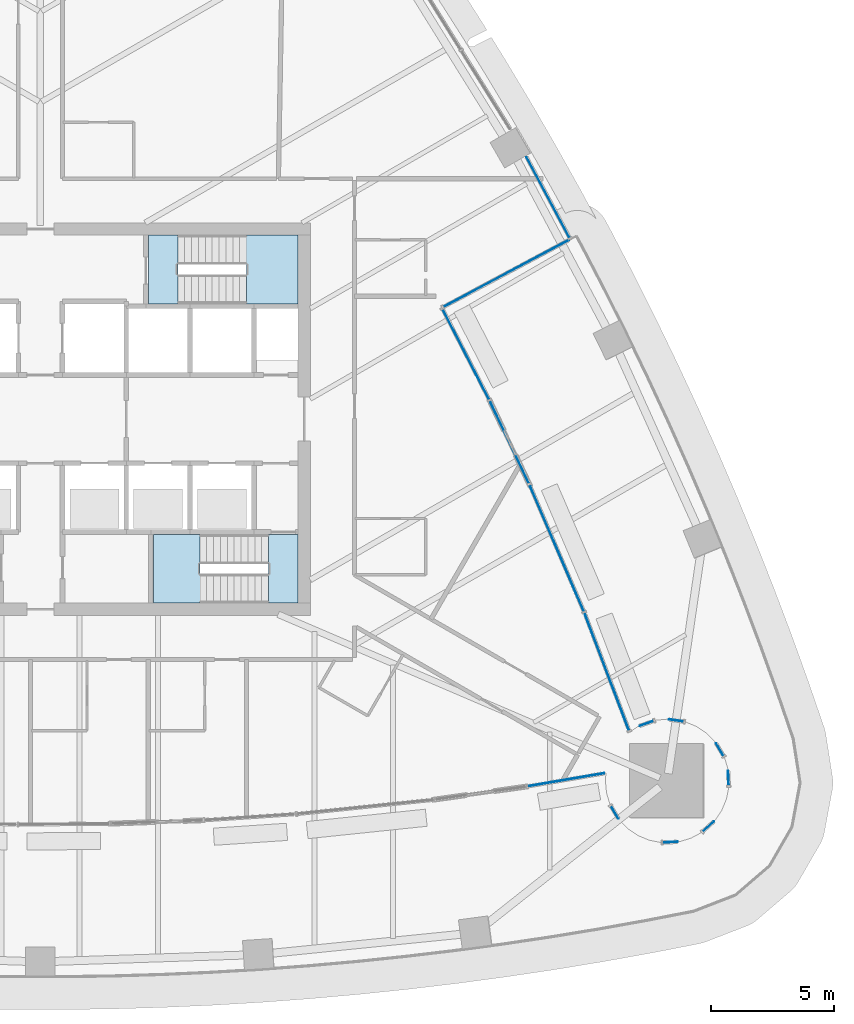
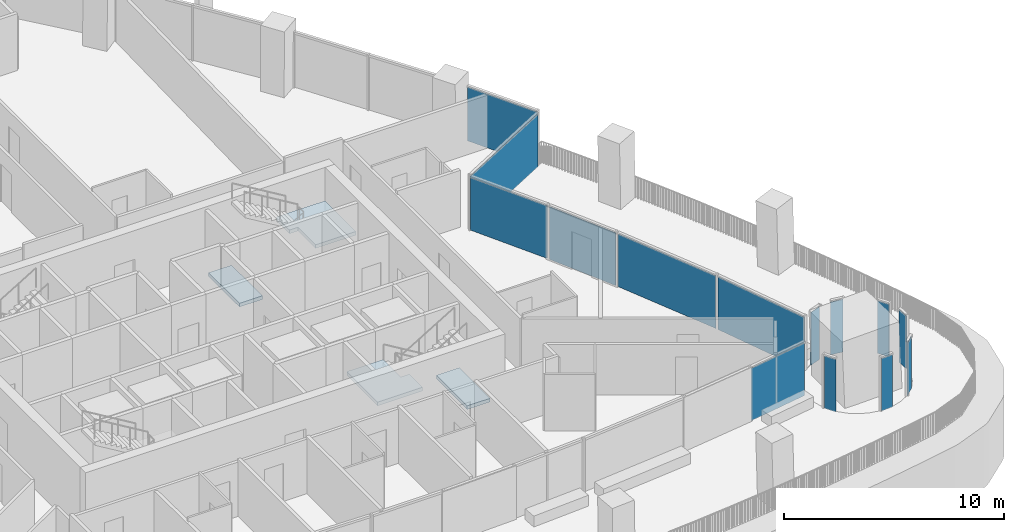
# One storey, part 9 of 22: 14 plates, 4 slabs, 16 elements without a shape of their own.
"""IFC4 building model written with IfcOpenShell, lengths in metres."""

from ifc_helpers import new_model, si_unit, direction, frame, origin, origin_2d, place, context, subcontext, project, spatial, polyline, rectangle, outline, extrude, material, layer, layer_set, type_object, element, aggregate, save


model = new_model("IFC4")

# Units and contexts
model_context = context("Model", 3, precision=1e-05, world=origin(), true_north=direction((0.0, 1.0)))
body_context = subcontext(model_context, "Body", "Model", "MODEL_VIEW")
ifc_project = project(units=[si_unit("LENGTHUNIT", "METRE"), si_unit("AREAUNIT", "SQUARE_METRE"), si_unit("VOLUMEUNIT", "CUBIC_METRE"), si_unit("PLANEANGLEUNIT", "RADIAN"), si_unit("MASSUNIT", "GRAM", prefix="KILO")], contexts=[model_context])

# Site, building, storey
site_placement = place(None, origin())
site = spatial("IfcSite", under=ifc_project, at=site_placement, CompositionType="ELEMENT")
building_placement = place(site_placement, origin())
building = spatial("IfcBuilding", under=site, at=building_placement, Name="Sierra Prisma Convention Tower", CompositionType="ELEMENT")
storey_placement = place(building_placement, frame((0.0, 0.0, 103.5)))
storey = spatial("IfcBuildingStorey", under=building, at=storey_placement, Name="L22", CompositionType="ELEMENT", Elevation=103.5)

# Curtain wall, plate
ifc_material_1 = material(Name="Aluminium and glass curtain wall", Category="aluminium")
ifc_layer_1 = layer(ifc_material_1, 0.179931640625)
ifc_layer_set_1 = layer_set([ifc_layer_1], Name="CW-1 Plain shaft curtain wall")
curtain_wall_type_1 = type_object("IfcCurtainWallType", Name="CW-1 Plain shaft curtain wall", PredefinedType="NOTDEFINED", material=ifc_layer_set_1)
curtain_wall_1_placement = place(storey_placement, origin())
curtain_wall_1 = element("IfcCurtainWall", 1, at=curtain_wall_1_placement, inside=storey, type_object=curtain_wall_type_1, Name="CW-1 NE3b L22", PredefinedType="NOTDEFINED")
ifc_material_2 = material(Name="Tinted glass bronze-grey IGU", Category="glass")
ifc_layer_2 = layer(ifc_material_2, 0.028076171875)
ifc_layer_set_2 = layer_set([ifc_layer_2], Name="CW-1 glass panel")
plate_type_1 = type_object("IfcPlateType", Name="CW-1 glass panel", PredefinedType="CURTAIN_PANEL", material=ifc_layer_set_2)
plate_1_placement = place(storey_placement, frame((20.691162109375, 9.030517578125, 0.0), z_axis=(0.0, 0.0, 1.0), x_axis=(-0.470872125852, 0.882201474209, 0.0)))
plate_1 = element("IfcPlate", 2, at=plate_1_placement, type_object=plate_type_1, Name="CW-1 panel NE3b.1", PredefinedType="CURTAIN_PANEL", context=body_context, shape_type="SweptSolid", body=[
    extrude(rectangle(XDim=3.712646484375, YDim=0.028076171875, at=origin_2d()), origin(), (0.0, 0.0, 1.0), 2.97998046875),
])
aggregate(curtain_wall_1, [plate_1])

ifc_material_3 = material(Name="Aluminium and glass curtain wall", Category="aluminium")
ifc_layer_3 = layer(ifc_material_3, 0.179931640625)
ifc_layer_set_3 = layer_set([ifc_layer_3], Name="CW-6 Terrace recess curtain wall")
curtain_wall_type_2 = type_object("IfcCurtainWallType", Name="CW-6 Terrace recess curtain wall", PredefinedType="NOTDEFINED", material=ifc_layer_set_3)
curtain_wall_2_placement = place(storey_placement, origin())
curtain_wall_2 = element("IfcCurtainWall", 3, at=curtain_wall_2_placement, inside=storey, type_object=curtain_wall_type_2, Name="CW-6 R7 L22", PredefinedType="NOTDEFINED")
ifc_material_4 = material(Name="Tinted glass bronze-grey IGU", Category="glass")
ifc_layer_4 = layer(ifc_material_4, 0.028076171875)
ifc_layer_set_4 = layer_set([ifc_layer_4], Name="CW-6 glass panel")
plate_type_2 = type_object("IfcPlateType", Name="CW-6 glass panel", PredefinedType="CURTAIN_PANEL", material=ifc_layer_set_4)
plate_2_placement = place(storey_placement, frame((21.42431640625, -14.6982421875, 0.0), z_axis=(0.0, 0.0, 1.0), x_axis=(0.985719395001, 0.168396182613, 0.0)))
plate_2 = element("IfcPlate", 4, at=plate_2_placement, type_object=plate_type_2, Name="CW-6 panel R7.1", PredefinedType="CURTAIN_PANEL", context=body_context, shape_type="SweptSolid", body=[
    extrude(rectangle(XDim=3.1572265625, YDim=0.028076171875, at=origin_2d()), origin(), (0.0, 0.0, 1.0), 2.919921875),
])
aggregate(curtain_wall_2, [plate_2])

curtain_wall_3_placement = place(storey_placement, origin())
curtain_wall_3 = element("IfcCurtainWall", 5, at=curtain_wall_3_placement, inside=storey, type_object=curtain_wall_type_2, Name="CW-6 R11 L22", PredefinedType="NOTDEFINED")
plate_3_placement = place(storey_placement, frame((23.4072265625, -16.031494140625, 0.0), z_axis=(0.0, 0.0, 1.0), x_axis=(0.514102744193, -0.85772861, 0.0)))
plate_3 = element("IfcPlate", 6, at=plate_3_placement, type_object=plate_type_2, Name="CW-6 panel R11.1", PredefinedType="CURTAIN_PANEL", context=body_context, shape_type="SweptSolid", body=[
    extrude(rectangle(XDim=0.599853515625, YDim=0.028076171875, at=origin_2d()), origin(), (0.0, 0.0, 1.0), 2.919921875),
])
aggregate(curtain_wall_3, [plate_3])

curtain_wall_4_placement = place(storey_placement, origin())
curtain_wall_4 = element("IfcCurtainWall", 7, at=curtain_wall_4_placement, inside=storey, type_object=curtain_wall_type_2, Name="CW-6 R16 L22", PredefinedType="NOTDEFINED")
plate_4_placement = place(storey_placement, frame((25.6689453125, -17.240234375, 0.0), z_axis=(0.0, 0.0, 1.0), x_axis=(0.998795456205, 0.049067674327, 0.0)))
plate_4 = element("IfcPlate", 8, at=plate_4_placement, type_object=plate_type_2, Name="CW-6 panel R16.1", PredefinedType="CURTAIN_PANEL", context=body_context, shape_type="SweptSolid", body=[
    extrude(rectangle(XDim=0.599853515625, YDim=0.028076171875, at=origin_2d()), origin(), (0.0, 0.0, 1.0), 2.919921875),
])
aggregate(curtain_wall_4, [plate_4])

curtain_wall_5_placement = place(storey_placement, origin())
curtain_wall_5 = element("IfcCurtainWall", 9, at=curtain_wall_5_placement, inside=storey, type_object=curtain_wall_type_2, Name="CW-6 R19 L22", PredefinedType="NOTDEFINED")
plate_5_placement = place(storey_placement, frame((27.221435546875, -16.59716796875, 0.0), z_axis=(0.0, 0.0, 1.0), x_axis=(0.740951125355, 0.671558954847, 0.0)))
plate_5 = element("IfcPlate", 10, at=plate_5_placement, type_object=plate_type_2, Name="CW-6 panel R19.1", PredefinedType="CURTAIN_PANEL", context=body_context, shape_type="SweptSolid", body=[
    extrude(rectangle(XDim=0.599853515625, YDim=0.028076171875, at=origin_2d()), origin(), (0.0, 0.0, 1.0), 2.919921875),
])
aggregate(curtain_wall_5, [plate_5])

curtain_wall_6_placement = place(storey_placement, origin())
curtain_wall_6 = element("IfcCurtainWall", 11, at=curtain_wall_6_placement, inside=storey, type_object=curtain_wall_type_2, Name="CW-6 R23 L22", PredefinedType="NOTDEFINED")
plate_6_placement = place(storey_placement, frame((28.03759765625, -14.626953125, 0.0), z_axis=(0.0, 0.0, 1.0), x_axis=(-0.049067674327, 0.998795456205, 0.0)))
plate_6 = element("IfcPlate", 12, at=plate_6_placement, type_object=plate_type_2, Name="CW-6 panel R23.1", PredefinedType="CURTAIN_PANEL", context=body_context, shape_type="SweptSolid", body=[
    extrude(rectangle(XDim=0.599853515625, YDim=0.028076171875, at=origin_2d()), origin(), (0.0, 0.0, 1.0), 2.919921875),
])
aggregate(curtain_wall_6, [plate_6])

curtain_wall_7_placement = place(storey_placement, origin())
curtain_wall_7 = element("IfcCurtainWall", 13, at=curtain_wall_7_placement, inside=storey, type_object=curtain_wall_type_2, Name="CW-6 R25 L22", PredefinedType="NOTDEFINED")
plate_7_placement = place(storey_placement, frame((27.685791015625, -13.467041015625, 0.0), z_axis=(0.0, 0.0, 1.0), x_axis=(-0.514102744193, 0.85772861, 0.0)))
plate_7 = element("IfcPlate", 14, at=plate_7_placement, type_object=plate_type_2, Name="CW-6 panel R25.1", PredefinedType="CURTAIN_PANEL", context=body_context, shape_type="SweptSolid", body=[
    extrude(rectangle(XDim=0.599853515625, YDim=0.028076171875, at=origin_2d()), origin(), (0.0, 0.0, 1.0), 2.919921875),
])
aggregate(curtain_wall_7, [plate_7])

curtain_wall_8_placement = place(storey_placement, origin())
curtain_wall_8 = element("IfcCurtainWall", 15, at=curtain_wall_8_placement, inside=storey, type_object=curtain_wall_type_2, Name="CW-6 R29 L22", PredefinedType="NOTDEFINED")
plate_8_placement = place(storey_placement, frame((25.912353515625, -12.2822265625, 0.0), z_axis=(0.0, 0.0, 1.0), x_axis=(-0.989176509965, 0.146730474455, 0.0)))
plate_8 = element("IfcPlate", 16, at=plate_8_placement, type_object=plate_type_2, Name="CW-6 panel R29.1", PredefinedType="CURTAIN_PANEL", context=body_context, shape_type="SweptSolid", body=[
    extrude(rectangle(XDim=0.599853515625, YDim=0.028076171875, at=origin_2d()), origin(), (0.0, 0.0, 1.0), 2.919921875),
])
aggregate(curtain_wall_8, [plate_8])

curtain_wall_9_placement = place(storey_placement, origin())
curtain_wall_9 = element("IfcCurtainWall", 17, at=curtain_wall_9_placement, inside=storey, type_object=curtain_wall_type_2, Name="CW-6 R31 L22", PredefinedType="NOTDEFINED")
plate_9_placement = place(storey_placement, frame((24.706298828125, -12.401123046875, 0.0), z_axis=(0.0, 0.0, 1.0), x_axis=(-0.941544065183, -0.336889853392, 0.0)))
plate_9 = element("IfcPlate", 18, at=plate_9_placement, type_object=plate_type_2, Name="CW-6 panel R31.1", PredefinedType="CURTAIN_PANEL", context=body_context, shape_type="SweptSolid", body=[
    extrude(rectangle(XDim=0.599853515625, YDim=0.028076171875, at=origin_2d()), origin(), (0.0, 0.0, 1.0), 2.919921875),
])
aggregate(curtain_wall_9, [plate_9])

curtain_wall_10_placement = place(storey_placement, origin())
curtain_wall_10 = element("IfcCurtainWall", 19, at=curtain_wall_10_placement, inside=storey, type_object=curtain_wall_type_2, Name="CW-6 R33 L22", PredefinedType="NOTDEFINED")
plate_10_placement = place(storey_placement, frame((23.09423828125, -10.32421875, 0.0), z_axis=(0.0, 0.0, 1.0), x_axis=(-0.354236821711, 0.935155748602, 0.0)))
plate_10 = element("IfcPlate", 20, at=plate_10_placement, type_object=plate_type_2, Name="CW-6 panel R33.1", PredefinedType="CURTAIN_PANEL", context=body_context, shape_type="SweptSolid", body=[
    extrude(rectangle(XDim=5.05029296875, YDim=0.028076171875, at=origin_2d()), origin(), (0.0, 0.0, 1.0), 2.919921875),
])
aggregate(curtain_wall_10, [plate_10])

curtain_wall_11_placement = place(storey_placement, origin())
curtain_wall_11 = element("IfcCurtainWall", 21, at=curtain_wall_11_placement, inside=storey, type_object=curtain_wall_type_2, Name="CW-6 R34 L22", PredefinedType="NOTDEFINED")
plate_11_placement = place(storey_placement, frame((21.0556640625, -5.28759765625, 0.0), z_axis=(0.0, 0.0, 1.0), x_axis=(-0.394137142557, 0.919051637753, 0.0)))
plate_11 = element("IfcPlate", 22, at=plate_11_placement, type_object=plate_type_2, Name="CW-6 panel R34.1", PredefinedType="CURTAIN_PANEL", context=body_context, shape_type="SweptSolid", body=[
    extrude(rectangle(XDim=5.539306640625, YDim=0.028076171875, at=origin_2d()), origin(), (0.0, 0.0, 1.0), 2.919921875),
])
aggregate(curtain_wall_11, [plate_11])

curtain_wall_12_placement = place(storey_placement, origin())
curtain_wall_12 = element("IfcCurtainWall", 23, at=curtain_wall_12_placement, inside=storey, type_object=curtain_wall_type_2, Name="CW-6 R35 L22", PredefinedType="NOTDEFINED")
plate_12_placement = place(storey_placement, frame((19.126220703125, -0.966552734375, 0.0), z_axis=(0.0, 0.0, 1.0), x_axis=(-0.427884301803, 0.903833515793, 0.0)))
plate_12 = element("IfcPlate", 24, at=plate_12_placement, type_object=plate_type_2, Name="CW-6 panel R35.1", PredefinedType="CURTAIN_PANEL", context=body_context, shape_type="SweptSolid", body=[
    extrude(rectangle(XDim=3.646484375, YDim=0.028076171875, at=origin_2d()), origin(), (0.0, 0.0, 1.0), 2.919921875),
])
aggregate(curtain_wall_12, [plate_12])

curtain_wall_13_placement = place(storey_placement, origin())
curtain_wall_13 = element("IfcCurtainWall", 25, at=curtain_wall_13_placement, inside=storey, type_object=curtain_wall_type_2, Name="CW-6 R36 L22", PredefinedType="NOTDEFINED")
plate_13_placement = place(storey_placement, frame((17.340576171875, 2.641357421875, 0.0), z_axis=(0.0, 0.0, 1.0), x_axis=(-0.457425784069, 0.889247801273, 0.0)))
plate_13 = element("IfcPlate", 26, at=plate_13_placement, type_object=plate_type_2, Name="CW-6 panel R36.1", PredefinedType="CURTAIN_PANEL", context=body_context, shape_type="SweptSolid", body=[
    extrude(rectangle(XDim=4.1259765625, YDim=0.028076171875, at=origin_2d()), origin(), (0.0, 0.0, 1.0), 2.919921875),
])
aggregate(curtain_wall_13, [plate_13])

curtain_wall_14_placement = place(storey_placement, origin())
curtain_wall_14 = element("IfcCurtainWall", 27, at=curtain_wall_14_placement, inside=storey, type_object=curtain_wall_type_2, Name="CW-6 RT2 L22", PredefinedType="NOTDEFINED")
plate_14_placement = place(storey_placement, frame((18.981689453125, 5.9345703125, 0.0), z_axis=(0.0, 0.0, 1.0), x_axis=(0.882201474209, 0.470872125852, 0.0)))
plate_14 = element("IfcPlate", 28, at=plate_14_placement, type_object=plate_type_2, Name="CW-6 panel RT2.1", PredefinedType="CURTAIN_PANEL", context=body_context, shape_type="SweptSolid", body=[
    extrude(rectangle(XDim=5.7919921875, YDim=0.028076171875, at=origin_2d()), origin(), (0.0, 0.0, 1.0), 2.919921875),
])
aggregate(curtain_wall_14, [plate_14])

# Stair, slab
ifc_material_5 = material(Name="Concrete C30/37", Category="concrete")
stair_type = type_object("IfcStairType", Name="Stair dog-leg 1200 RC", PredefinedType="HALF_TURN_STAIR", material=ifc_material_5)
stair_1_placement = place(storey_placement, origin())
stair_1 = element("IfcStair", 29, at=stair_1_placement, inside=storey, type_object=stair_type, Name="L22 S2", PredefinedType="HALF_TURN_STAIR")
ifc_material_6 = material(Name="Concrete C35/45", Category="concrete")
ifc_layer_5 = layer(ifc_material_6, 0.199951171875)
ifc_layer_set_5 = layer_set([ifc_layer_5], Name="Stair landing slab")
slab_type = type_object("IfcSlabType", Name="Stair landing slab", PredefinedType="LANDING", material=ifc_layer_set_5)
slab_1_placement = place(storey_placement, frame((0.0, 0.0, 1.64990234375)))
slab_1 = element("IfcSlab", 30, at=slab_1_placement, type_object=slab_type, Name="S2 landing 1", PredefinedType="LANDING", context=body_context, shape_type="SweptSolid", body=[
    extrude(outline(polyline([(6.949951171875, -6.300048828125), (6.949951171875, -7.5), (4.60009765625, -7.5), (4.60009765625, -4.699951171875), (6.501953125, -4.699951171875), (6.501953125, -6.300048828125), (6.949951171875, -6.300048828125)])), origin(), (0.0, 0.0, 1.0), 0.2001953125),
])
aggregate(stair_1, [slab_1])

# Slab
slab_2_placement = place(storey_placement, frame((0.0, 0.0, -0.199951171875)))
element("IfcSlab", 31, at=slab_2_placement, inside=storey, type_object=slab_type, Name="S2 floor landing L22", PredefinedType="LANDING", context=body_context, shape_type="SweptSolid", body=[
    extrude(outline(polyline([(10.5, -4.699951171875), (9.298095703125, -4.699951171875), (9.298095703125, -7.5), (10.5, -7.5), (10.5, -4.699951171875)])), origin(), (0.0, 0.0, 1.0), 0.199951171875),
])

# Stair, slab
stair_2_placement = place(storey_placement, origin())
stair_2 = element("IfcStair", 32, at=stair_2_placement, inside=storey, type_object=stair_type, Name="L22 S4", PredefinedType="HALF_TURN_STAIR")
slab_3_placement = place(storey_placement, frame((0.0, 0.0, 1.64990234375)))
slab_3 = element("IfcSlab", 33, at=slab_3_placement, type_object=slab_type, Name="S4 landing 1", PredefinedType="LANDING", context=body_context, shape_type="SweptSolid", body=[
    extrude(outline(polyline([(10.5, 7.5), (10.5, 4.699951171875), (8.39794921875, 4.699951171875), (8.39794921875, 6.300048828125), (7.949951171875, 6.300048828125), (7.949951171875, 7.5), (10.5, 7.5)])), origin(), (0.0, 0.0, 1.0), 0.2001953125),
])
aggregate(stair_2, [slab_3])

# Slab
slab_4_placement = place(storey_placement, frame((0.0, 0.0, -0.199951171875)))
element("IfcSlab", 34, at=slab_4_placement, inside=storey, type_object=slab_type, Name="S4 floor landing L22", PredefinedType="LANDING", context=body_context, shape_type="SweptSolid", body=[
    extrude(outline(polyline([(4.39990234375, 4.699951171875), (5.60205078125, 4.699951171875), (5.60205078125, 7.5), (4.39990234375, 7.5), (4.39990234375, 4.699951171875)])), origin(), (0.0, 0.0, 1.0), 0.199951171875),
])

save(model, "model.ifc")
